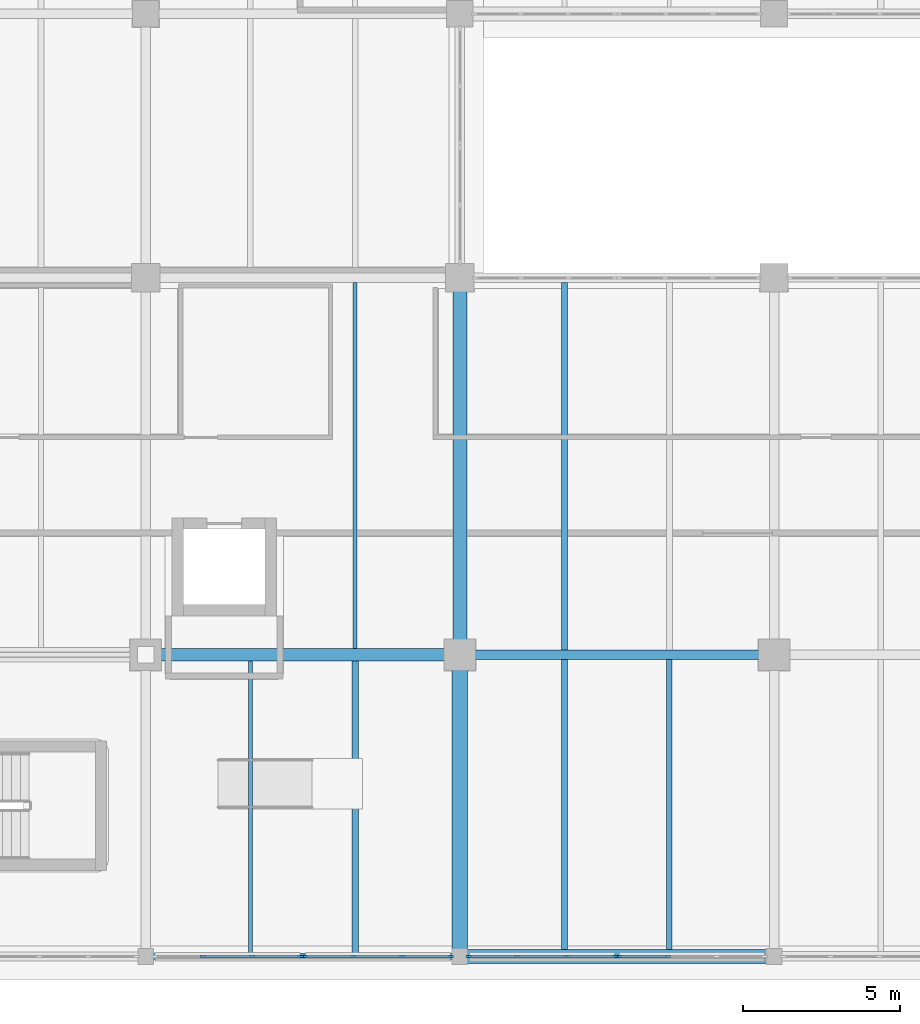
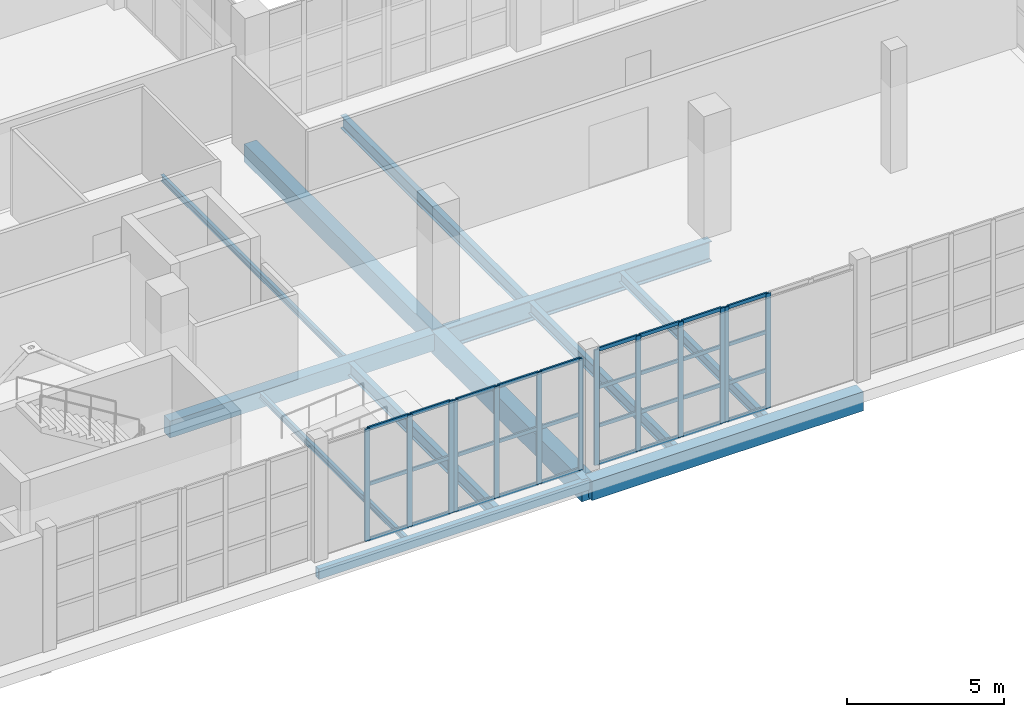
# One storey, part 41 of 121: 44 members, 12 beams, 4 elements without a shape of their own.
"""IFC4 building model written with IfcOpenShell, lengths in metres."""

from ifc_helpers import new_model, si_unit, direction, frame, origin, origin_2d, place, context, subcontext, project, spatial, rectangle, hollow_rectangle, i_section, extrude, material, layer, layer_set, material_profile, profile_set, type_object, element, aggregate, save


model = new_model("IFC4")

# Units and contexts
model_context = context("Model", 3, precision=1e-05, world=origin(), true_north=direction((0.0, 1.0)))
body_context = subcontext(model_context, "Body", "Model", "MODEL_VIEW")
ifc_project = project(units=[si_unit("LENGTHUNIT", "METRE"), si_unit("AREAUNIT", "SQUARE_METRE"), si_unit("VOLUMEUNIT", "CUBIC_METRE"), si_unit("PLANEANGLEUNIT", "RADIAN"), si_unit("MASSUNIT", "GRAM", prefix="KILO")], contexts=[model_context])

# Site, building, storey
site_placement = place(None, origin())
site = spatial("IfcSite", under=ifc_project, at=site_placement, CompositionType="ELEMENT")
building_placement = place(site_placement, origin())
building = spatial("IfcBuilding", under=site, at=building_placement, Name="Zereglee Splitstone Museum", CompositionType="ELEMENT")
storey_placement = place(building_placement, origin())
storey = spatial("IfcBuildingStorey", under=building, at=storey_placement, Name="L00", CompositionType="ELEMENT", Elevation=0.0)

# Beams
ifc_material_1 = material(Name="Concrete C40/50", Category="concrete")
ifc_material_profile_1 = material_profile(ifc_material_1, rectangle(XDim=0.39990234375, YDim=0.64990234375, at=origin_2d()), Name="RC 400x650")
ifc_profile_set_1 = profile_set([ifc_material_profile_1], Name="Concrete C40/50")
beam_type_1 = type_object("IfcBeamType", Name="BG-04", PredefinedType="BEAM", material=ifc_profile_set_1)
beam_1_placement = place(storey_placement, frame((195.199951171875, 9.60009765625, -0.7451171875), z_axis=(1.0, 0.0, 0.0), x_axis=(0.0, 1.0, 0.0)))
element("IfcBeam", 1, at=beam_1_placement, inside=storey, type_object=beam_type_1, Name="Primary Girder L00 B (195.2-205.2)", PredefinedType="BEAM", context=body_context, shape_type="SweptSolid", body=[
    extrude(rectangle(XDim=0.39990234375, YDim=0.64990234375, at=origin_2d()), origin(), (0.0, 0.0, 1.0), 10.0),
])
ifc_material_profile_2 = material_profile(ifc_material_1, rectangle(XDim=0.449951171875, YDim=0.699951171875, at=origin_2d()), Name="RC 450x700")
ifc_profile_set_2 = profile_set([ifc_material_profile_2], Name="Concrete C40/50")
beam_type_2 = type_object("IfcBeamType", Name="BG-03", PredefinedType="BEAM", material=ifc_profile_set_2)
beam_2_placement = place(storey_placement, frame((205.199951171875, 9.60009765625, -0.77001953125), z_axis=(0.0, 1.0, 0.0), x_axis=(-1.0, 0.0, 0.0)))
element("IfcBeam", 2, at=beam_2_placement, inside=storey, type_object=beam_type_2, Name="Primary Girder L00 23 (9.6-21.6)", PredefinedType="BEAM", context=body_context, shape_type="SweptSolid", body=[
    extrude(rectangle(XDim=0.449951171875, YDim=0.699951171875, at=origin_2d()), origin(), (0.0, 0.0, 1.0), 12.0),
])
ifc_material_profile_3 = material_profile(ifc_material_1, rectangle(XDim=0.5, YDim=0.85009765625, at=origin_2d()), Name="RC 500x850")
ifc_profile_set_3 = profile_set([ifc_material_profile_3], Name="Concrete C40/50")
beam_type_3 = type_object("IfcBeamType", Name="BG-02", PredefinedType="BEAM", material=ifc_profile_set_3)
beam_3_placement = place(storey_placement, frame((205.199951171875, 0.0, -0.844970703125), z_axis=(0.0, 1.0, 0.0), x_axis=(-1.0, 0.0, 0.0)))
element("IfcBeam", 3, at=beam_3_placement, inside=storey, type_object=beam_type_3, Name="Primary Girder L00 23 (0.0-9.6)", PredefinedType="BEAM", context=body_context, shape_type="SweptSolid", body=[
    extrude(rectangle(XDim=0.5, YDim=0.85009765625, at=origin_2d()), origin(), (0.0, 0.0, 1.0), 9.60009765625),
])

# Curtain wall, members
ifc_material_2 = material(Name="Triple-glazed low-E argon glass and bronze-anodised aluminium", Category="aluminium")
ifc_layer_1 = layer(ifc_material_2, 0.179931640625)
ifc_layer_set_1 = layer_set([ifc_layer_1], Name="Triple-glazed low-E argon glass and bronze-anodised aluminium")
curtain_wall_type_1 = type_object("IfcCurtainWallType", Name="CW-0470-438", PredefinedType="USERDEFINED", material=ifc_layer_set_1)
curtain_wall_1_placement = place(storey_placement, origin())
curtain_wall_1 = element("IfcCurtainWall", 4, at=curtain_wall_1_placement, inside=storey, type_object=curtain_wall_type_1, Name="Glazed Curtain Wall CW-0470-438 (L00)", ObjectType="GLAZED CURTAIN WALL", PredefinedType="USERDEFINED")
ifc_material_3 = material(Name="Thermally broken bronze-anodised aluminium", Category="aluminium")
ifc_material_profile_4 = material_profile(ifc_material_3, rectangle(XDim=0.06494140625, YDim=0.179931640625, at=origin_2d()), Name="CW MULL 65x180")
ifc_profile_set_4 = profile_set([ifc_material_profile_4], Name="Thermally broken bronze-anodised aluminium")
member_type_1 = type_object("IfcMemberType", Name="CWM-01", PredefinedType="MULLION", material=ifc_profile_set_4)
member_1_placement = place(storey_placement, frame((197.025390625, 0.0, 0.0), z_axis=(0.0, 0.0, 1.0), x_axis=(0.0, 1.0, 0.0)))
member_1 = element("IfcMember", 5, at=member_1_placement, type_object=member_type_1, Name="CW-0470-438 mullion 2", PredefinedType="MULLION", context=body_context, shape_type="SweptSolid", body=[
    extrude(rectangle(XDim=0.06494140625, YDim=0.179931640625, at=origin_2d()), origin(), (0.0, 0.0, 1.0), 4.3798828125),
])
member_2_placement = place(storey_placement, frame((198.5927734375, 0.0, 0.0), z_axis=(0.0, 0.0, 1.0), x_axis=(0.0, 1.0, 0.0)))
member_2 = element("IfcMember", 6, at=member_2_placement, type_object=member_type_1, Name="CW-0470-438 mullion 3", PredefinedType="MULLION", context=body_context, shape_type="SweptSolid", body=[
    extrude(rectangle(XDim=0.06494140625, YDim=0.179931640625, at=origin_2d()), origin(), (0.0, 0.0, 1.0), 4.3798828125),
])
member_3_placement = place(storey_placement, frame((200.12744140625, 0.0, 0.0), z_axis=(0.0, 0.0, 1.0), x_axis=(0.0, 1.0, 0.0)))
member_3 = element("IfcMember", 7, at=member_3_placement, type_object=member_type_1, Name="CW-0470-438 mullion 4", PredefinedType="MULLION", context=body_context, shape_type="SweptSolid", body=[
    extrude(rectangle(XDim=0.06494140625, YDim=0.179931640625, at=origin_2d()), origin(), (0.0, 0.0, 1.0), 4.3798828125),
])

ifc_layer_2 = layer(ifc_material_2, 0.179931640625)
ifc_layer_set_2 = layer_set([ifc_layer_2], Name="Triple-glazed low-E argon glass and bronze-anodised aluminium")
curtain_wall_type_2 = type_object("IfcCurtainWallType", Name="CW-0470-436", PredefinedType="USERDEFINED", material=ifc_layer_set_2)
curtain_wall_2_placement = place(storey_placement, origin())
curtain_wall_2 = element("IfcCurtainWall", 8, at=curtain_wall_2_placement, inside=storey, type_object=curtain_wall_type_2, Name="Glazed Curtain Wall CW-0470-436 (L00)", ObjectType="GLAZED CURTAIN WALL", PredefinedType="USERDEFINED")
member_4_placement = place(storey_placement, frame((200.2724609375, 0.0, 0.0), z_axis=(0.0, 0.0, 1.0), x_axis=(0.0, 1.0, 0.0)))
member_4 = element("IfcMember", 9, at=member_4_placement, type_object=member_type_1, Name="CW-0470-436 mullion 1", PredefinedType="MULLION", context=body_context, shape_type="SweptSolid", body=[
    extrude(rectangle(XDim=0.06494140625, YDim=0.179931640625, at=origin_2d()), origin(), (0.0, 0.0, 1.0), 4.360107421875),
])
member_5_placement = place(storey_placement, frame((201.807373046875, 0.0, 0.0), z_axis=(0.0, 0.0, 1.0), x_axis=(0.0, 1.0, 0.0)))
member_5 = element("IfcMember", 10, at=member_5_placement, type_object=member_type_1, Name="CW-0470-436 mullion 2", PredefinedType="MULLION", context=body_context, shape_type="SweptSolid", body=[
    extrude(rectangle(XDim=0.06494140625, YDim=0.179931640625, at=origin_2d()), origin(), (0.0, 0.0, 1.0), 4.360107421875),
])
member_6_placement = place(storey_placement, frame((203.374755859375, 0.0, 0.0), z_axis=(0.0, 0.0, 1.0), x_axis=(0.0, 1.0, 0.0)))
member_6 = element("IfcMember", 11, at=member_6_placement, type_object=member_type_1, Name="CW-0470-436 mullion 3", PredefinedType="MULLION", context=body_context, shape_type="SweptSolid", body=[
    extrude(rectangle(XDim=0.06494140625, YDim=0.179931640625, at=origin_2d()), origin(), (0.0, 0.0, 1.0), 4.360107421875),
])
member_7_placement = place(storey_placement, frame((204.909423828125, 0.0, 0.0), z_axis=(0.0, 0.0, 1.0), x_axis=(0.0, 1.0, 0.0)))
member_7 = element("IfcMember", 12, at=member_7_placement, type_object=member_type_1, Name="CW-0470-436 mullion 4", PredefinedType="MULLION", context=body_context, shape_type="SweptSolid", body=[
    extrude(rectangle(XDim=0.06494140625, YDim=0.179931640625, at=origin_2d()), origin(), (0.0, 0.0, 1.0), 4.360107421875),
])

ifc_layer_3 = layer(ifc_material_2, 0.179931640625)
ifc_layer_set_3 = layer_set([ifc_layer_3], Name="Triple-glazed low-E argon glass and bronze-anodised aluminium")
curtain_wall_type_3 = type_object("IfcCurtainWallType", Name="CW-0470-450", PredefinedType="USERDEFINED", material=ifc_layer_set_3)
curtain_wall_3_placement = place(storey_placement, origin())
curtain_wall_3 = element("IfcCurtainWall", 13, at=curtain_wall_3_placement, inside=storey, type_object=curtain_wall_type_3, Name="Glazed Curtain Wall CW-0470-450 (L00)", ObjectType="GLAZED CURTAIN WALL", PredefinedType="USERDEFINED")
member_8_placement = place(storey_placement, frame((205.490478515625, 0.0, 0.0), z_axis=(0.0, 0.0, 1.0), x_axis=(0.0, 1.0, 0.0)))
member_8 = element("IfcMember", 14, at=member_8_placement, type_object=member_type_1, Name="CW-0470-450 mullion 1", PredefinedType="MULLION", context=body_context, shape_type="SweptSolid", body=[
    extrude(rectangle(XDim=0.06494140625, YDim=0.179931640625, at=origin_2d()), origin(), (0.0, 0.0, 1.0), 4.5),
])
member_9_placement = place(storey_placement, frame((207.025390625, 0.0, 0.0), z_axis=(0.0, 0.0, 1.0), x_axis=(0.0, 1.0, 0.0)))
member_9 = element("IfcMember", 15, at=member_9_placement, type_object=member_type_1, Name="CW-0470-450 mullion 2", PredefinedType="MULLION", context=body_context, shape_type="SweptSolid", body=[
    extrude(rectangle(XDim=0.06494140625, YDim=0.179931640625, at=origin_2d()), origin(), (0.0, 0.0, 1.0), 4.5),
])
member_10_placement = place(storey_placement, frame((208.5927734375, 0.0, 0.0), z_axis=(0.0, 0.0, 1.0), x_axis=(0.0, 1.0, 0.0)))
member_10 = element("IfcMember", 16, at=member_10_placement, type_object=member_type_1, Name="CW-0470-450 mullion 3", PredefinedType="MULLION", context=body_context, shape_type="SweptSolid", body=[
    extrude(rectangle(XDim=0.06494140625, YDim=0.179931640625, at=origin_2d()), origin(), (0.0, 0.0, 1.0), 4.5),
])
member_11_placement = place(storey_placement, frame((210.12744140625, 0.0, 0.0), z_axis=(0.0, 0.0, 1.0), x_axis=(0.0, 1.0, 0.0)))
member_11 = element("IfcMember", 17, at=member_11_placement, type_object=member_type_1, Name="CW-0470-450 mullion 4", PredefinedType="MULLION", context=body_context, shape_type="SweptSolid", body=[
    extrude(rectangle(XDim=0.06494140625, YDim=0.179931640625, at=origin_2d()), origin(), (0.0, 0.0, 1.0), 4.5),
])

ifc_layer_4 = layer(ifc_material_2, 0.179931640625)
ifc_layer_set_4 = layer_set([ifc_layer_4], Name="Triple-glazed low-E argon glass and bronze-anodised aluminium")
curtain_wall_type_4 = type_object("IfcCurtainWallType", Name="CW-0470-448", PredefinedType="USERDEFINED", material=ifc_layer_set_4)
curtain_wall_4_placement = place(storey_placement, origin())
curtain_wall_4 = element("IfcCurtainWall", 18, at=curtain_wall_4_placement, inside=storey, type_object=curtain_wall_type_4, Name="Glazed Curtain Wall CW-0470-448 (L00)", ObjectType="GLAZED CURTAIN WALL", PredefinedType="USERDEFINED")
member_12_placement = place(storey_placement, frame((210.2724609375, 0.0, 0.0), z_axis=(0.0, 0.0, 1.0), x_axis=(0.0, 1.0, 0.0)))
member_12 = element("IfcMember", 19, at=member_12_placement, type_object=member_type_1, Name="CW-0470-448 mullion 1", PredefinedType="MULLION", context=body_context, shape_type="SweptSolid", body=[
    extrude(rectangle(XDim=0.06494140625, YDim=0.179931640625, at=origin_2d()), origin(), (0.0, 0.0, 1.0), 4.47998046875),
])
member_13_placement = place(storey_placement, frame((211.807373046875, 0.0, 0.0), z_axis=(0.0, 0.0, 1.0), x_axis=(0.0, 1.0, 0.0)))
member_13 = element("IfcMember", 20, at=member_13_placement, type_object=member_type_1, Name="CW-0470-448 mullion 2", PredefinedType="MULLION", context=body_context, shape_type="SweptSolid", body=[
    extrude(rectangle(XDim=0.06494140625, YDim=0.179931640625, at=origin_2d()), origin(), (0.0, 0.0, 1.0), 4.47998046875),
])

# Member
ifc_material_profile_5 = material_profile(ifc_material_3, rectangle(XDim=0.06494140625, YDim=0.139892578125, at=origin_2d()), Name="CW TRAN 65x140")
ifc_profile_set_5 = profile_set([ifc_material_profile_5], Name="Thermally broken bronze-anodised aluminium")
member_type_2 = type_object("IfcMemberType", Name="CWT-01", PredefinedType="USERDEFINED", material=ifc_profile_set_5)
member_14_placement = place(storey_placement, frame((197.057861328125, 0.0, 0.032470703125), z_axis=(1.0, 0.0, 0.0), x_axis=(0.0, 1.0, 0.0)))
member_14 = element("IfcMember", 21, at=member_14_placement, type_object=member_type_2, Name="CW-0470-438 transom 2.1", ObjectType="TRANSOM", PredefinedType="USERDEFINED", context=body_context, shape_type="SweptSolid", body=[
    extrude(rectangle(XDim=0.06494140625, YDim=0.139892578125, at=origin_2d()), origin(), (0.0, 0.0, 1.0), 1.502197265625),
])

member_15_placement = place(storey_placement, frame((197.057861328125, 0.0, 2.18994140625), z_axis=(1.0, 0.0, 0.0), x_axis=(0.0, 1.0, 0.0)))
member_15 = element("IfcMember", 22, at=member_15_placement, type_object=member_type_2, Name="CW-0470-438 transom 2.2", ObjectType="TRANSOM", PredefinedType="USERDEFINED", context=body_context, shape_type="SweptSolid", body=[
    extrude(rectangle(XDim=0.06494140625, YDim=0.139892578125, at=origin_2d()), origin(), (0.0, 0.0, 1.0), 1.502197265625),
])

member_16_placement = place(storey_placement, frame((197.057861328125, 0.0, 4.347412109375), z_axis=(1.0, 0.0, 0.0), x_axis=(0.0, 1.0, 0.0)))
member_16 = element("IfcMember", 23, at=member_16_placement, type_object=member_type_2, Name="CW-0470-438 transom 2.3", ObjectType="TRANSOM", PredefinedType="USERDEFINED", context=body_context, shape_type="SweptSolid", body=[
    extrude(rectangle(XDim=0.06494140625, YDim=0.139892578125, at=origin_2d()), origin(), (0.0, 0.0, 1.0), 1.502197265625),
])

member_17_placement = place(storey_placement, frame((198.625244140625, 0.0, 0.032470703125), z_axis=(1.0, 0.0, 0.0), x_axis=(0.0, 1.0, 0.0)))
member_17 = element("IfcMember", 24, at=member_17_placement, type_object=member_type_2, Name="CW-0470-438 transom 3.1", ObjectType="TRANSOM", PredefinedType="USERDEFINED", context=body_context, shape_type="SweptSolid", body=[
    extrude(rectangle(XDim=0.06494140625, YDim=0.139892578125, at=origin_2d()), origin(), (0.0, 0.0, 1.0), 1.4697265625),
])

member_18_placement = place(storey_placement, frame((198.625244140625, 0.0, 2.18994140625), z_axis=(1.0, 0.0, 0.0), x_axis=(0.0, 1.0, 0.0)))
member_18 = element("IfcMember", 25, at=member_18_placement, type_object=member_type_2, Name="CW-0470-438 transom 3.2", ObjectType="TRANSOM", PredefinedType="USERDEFINED", context=body_context, shape_type="SweptSolid", body=[
    extrude(rectangle(XDim=0.06494140625, YDim=0.139892578125, at=origin_2d()), origin(), (0.0, 0.0, 1.0), 1.4697265625),
])

member_19_placement = place(storey_placement, frame((198.625244140625, 0.0, 4.347412109375), z_axis=(1.0, 0.0, 0.0), x_axis=(0.0, 1.0, 0.0)))
member_19 = element("IfcMember", 26, at=member_19_placement, type_object=member_type_2, Name="CW-0470-438 transom 3.3", ObjectType="TRANSOM", PredefinedType="USERDEFINED", context=body_context, shape_type="SweptSolid", body=[
    extrude(rectangle(XDim=0.06494140625, YDim=0.139892578125, at=origin_2d()), origin(), (0.0, 0.0, 1.0), 1.4697265625),
])

aggregate(curtain_wall_1, [member_1, member_2, member_3, member_14, member_15, member_16, member_17, member_18, member_19])

member_20_placement = place(storey_placement, frame((200.304931640625, 0.0, 0.032470703125), z_axis=(1.0, 0.0, 0.0), x_axis=(0.0, 1.0, 0.0)))
member_20 = element("IfcMember", 27, at=member_20_placement, type_object=member_type_2, Name="CW-0470-436 transom 1.1", ObjectType="TRANSOM", PredefinedType="USERDEFINED", context=body_context, shape_type="SweptSolid", body=[
    extrude(rectangle(XDim=0.06494140625, YDim=0.139892578125, at=origin_2d()), origin(), (0.0, 0.0, 1.0), 1.469970703125),
])

member_21_placement = place(storey_placement, frame((200.304931640625, 0.0, 2.179931640625), z_axis=(1.0, 0.0, 0.0), x_axis=(0.0, 1.0, 0.0)))
member_21 = element("IfcMember", 28, at=member_21_placement, type_object=member_type_2, Name="CW-0470-436 transom 1.2", ObjectType="TRANSOM", PredefinedType="USERDEFINED", context=body_context, shape_type="SweptSolid", body=[
    extrude(rectangle(XDim=0.06494140625, YDim=0.139892578125, at=origin_2d()), origin(), (0.0, 0.0, 1.0), 1.469970703125),
])

member_22_placement = place(storey_placement, frame((200.304931640625, 0.0, 4.327392578125), z_axis=(1.0, 0.0, 0.0), x_axis=(0.0, 1.0, 0.0)))
member_22 = element("IfcMember", 29, at=member_22_placement, type_object=member_type_2, Name="CW-0470-436 transom 1.3", ObjectType="TRANSOM", PredefinedType="USERDEFINED", context=body_context, shape_type="SweptSolid", body=[
    extrude(rectangle(XDim=0.06494140625, YDim=0.139892578125, at=origin_2d()), origin(), (0.0, 0.0, 1.0), 1.469970703125),
])

member_23_placement = place(storey_placement, frame((201.83984375, 0.0, 0.032470703125), z_axis=(1.0, 0.0, 0.0), x_axis=(0.0, 1.0, 0.0)))
member_23 = element("IfcMember", 30, at=member_23_placement, type_object=member_type_2, Name="CW-0470-436 transom 2.1", ObjectType="TRANSOM", PredefinedType="USERDEFINED", context=body_context, shape_type="SweptSolid", body=[
    extrude(rectangle(XDim=0.06494140625, YDim=0.139892578125, at=origin_2d()), origin(), (0.0, 0.0, 1.0), 1.50244140625),
])

member_24_placement = place(storey_placement, frame((201.83984375, 0.0, 2.179931640625), z_axis=(1.0, 0.0, 0.0), x_axis=(0.0, 1.0, 0.0)))
member_24 = element("IfcMember", 31, at=member_24_placement, type_object=member_type_2, Name="CW-0470-436 transom 2.2", ObjectType="TRANSOM", PredefinedType="USERDEFINED", context=body_context, shape_type="SweptSolid", body=[
    extrude(rectangle(XDim=0.06494140625, YDim=0.139892578125, at=origin_2d()), origin(), (0.0, 0.0, 1.0), 1.50244140625),
])

member_25_placement = place(storey_placement, frame((201.83984375, 0.0, 4.327392578125), z_axis=(1.0, 0.0, 0.0), x_axis=(0.0, 1.0, 0.0)))
member_25 = element("IfcMember", 32, at=member_25_placement, type_object=member_type_2, Name="CW-0470-436 transom 2.3", ObjectType="TRANSOM", PredefinedType="USERDEFINED", context=body_context, shape_type="SweptSolid", body=[
    extrude(rectangle(XDim=0.06494140625, YDim=0.139892578125, at=origin_2d()), origin(), (0.0, 0.0, 1.0), 1.50244140625),
])

member_26_placement = place(storey_placement, frame((203.4072265625, 0.0, 0.032470703125), z_axis=(1.0, 0.0, 0.0), x_axis=(0.0, 1.0, 0.0)))
member_26 = element("IfcMember", 33, at=member_26_placement, type_object=member_type_2, Name="CW-0470-436 transom 3.1", ObjectType="TRANSOM", PredefinedType="USERDEFINED", context=body_context, shape_type="SweptSolid", body=[
    extrude(rectangle(XDim=0.06494140625, YDim=0.139892578125, at=origin_2d()), origin(), (0.0, 0.0, 1.0), 1.4697265625),
])

member_27_placement = place(storey_placement, frame((203.4072265625, 0.0, 2.179931640625), z_axis=(1.0, 0.0, 0.0), x_axis=(0.0, 1.0, 0.0)))
member_27 = element("IfcMember", 34, at=member_27_placement, type_object=member_type_2, Name="CW-0470-436 transom 3.2", ObjectType="TRANSOM", PredefinedType="USERDEFINED", context=body_context, shape_type="SweptSolid", body=[
    extrude(rectangle(XDim=0.06494140625, YDim=0.139892578125, at=origin_2d()), origin(), (0.0, 0.0, 1.0), 1.4697265625),
])

member_28_placement = place(storey_placement, frame((203.4072265625, 0.0, 4.327392578125), z_axis=(1.0, 0.0, 0.0), x_axis=(0.0, 1.0, 0.0)))
member_28 = element("IfcMember", 35, at=member_28_placement, type_object=member_type_2, Name="CW-0470-436 transom 3.3", ObjectType="TRANSOM", PredefinedType="USERDEFINED", context=body_context, shape_type="SweptSolid", body=[
    extrude(rectangle(XDim=0.06494140625, YDim=0.139892578125, at=origin_2d()), origin(), (0.0, 0.0, 1.0), 1.4697265625),
])

aggregate(curtain_wall_2, [member_4, member_5, member_6, member_7, member_20, member_21, member_22, member_23, member_24, member_25, member_26, member_27, member_28])

member_29_placement = place(storey_placement, frame((205.52294921875, 0.0, 0.032470703125), z_axis=(1.0, 0.0, 0.0), x_axis=(0.0, 1.0, 0.0)))
member_29 = element("IfcMember", 36, at=member_29_placement, type_object=member_type_2, Name="CW-0470-450 transom 1.1", ObjectType="TRANSOM", PredefinedType="USERDEFINED", context=body_context, shape_type="SweptSolid", body=[
    extrude(rectangle(XDim=0.06494140625, YDim=0.139892578125, at=origin_2d()), origin(), (0.0, 0.0, 1.0), 1.469970703125),
])

member_30_placement = place(storey_placement, frame((205.52294921875, 0.0, 1.5), z_axis=(1.0, 0.0, 0.0), x_axis=(0.0, 1.0, 0.0)))
member_30 = element("IfcMember", 37, at=member_30_placement, type_object=member_type_2, Name="CW-0470-450 transom 1.2", ObjectType="TRANSOM", PredefinedType="USERDEFINED", context=body_context, shape_type="SweptSolid", body=[
    extrude(rectangle(XDim=0.06494140625, YDim=0.139892578125, at=origin_2d()), origin(), (0.0, 0.0, 1.0), 1.469970703125),
])

member_31_placement = place(storey_placement, frame((205.52294921875, 0.0, 3.0), z_axis=(1.0, 0.0, 0.0), x_axis=(0.0, 1.0, 0.0)))
member_31 = element("IfcMember", 38, at=member_31_placement, type_object=member_type_2, Name="CW-0470-450 transom 1.3", ObjectType="TRANSOM", PredefinedType="USERDEFINED", context=body_context, shape_type="SweptSolid", body=[
    extrude(rectangle(XDim=0.06494140625, YDim=0.139892578125, at=origin_2d()), origin(), (0.0, 0.0, 1.0), 1.469970703125),
])

member_32_placement = place(storey_placement, frame((205.52294921875, 0.0, 4.467529296875), z_axis=(1.0, 0.0, 0.0), x_axis=(0.0, 1.0, 0.0)))
member_32 = element("IfcMember", 39, at=member_32_placement, type_object=member_type_2, Name="CW-0470-450 transom 1.4", ObjectType="TRANSOM", PredefinedType="USERDEFINED", context=body_context, shape_type="SweptSolid", body=[
    extrude(rectangle(XDim=0.06494140625, YDim=0.139892578125, at=origin_2d()), origin(), (0.0, 0.0, 1.0), 1.469970703125),
])

member_33_placement = place(storey_placement, frame((207.057861328125, 0.0, 0.032470703125), z_axis=(1.0, 0.0, 0.0), x_axis=(0.0, 1.0, 0.0)))
member_33 = element("IfcMember", 40, at=member_33_placement, type_object=member_type_2, Name="CW-0470-450 transom 2.1", ObjectType="TRANSOM", PredefinedType="USERDEFINED", context=body_context, shape_type="SweptSolid", body=[
    extrude(rectangle(XDim=0.06494140625, YDim=0.139892578125, at=origin_2d()), origin(), (0.0, 0.0, 1.0), 1.502197265625),
])

member_34_placement = place(storey_placement, frame((207.057861328125, 0.0, 1.5), z_axis=(1.0, 0.0, 0.0), x_axis=(0.0, 1.0, 0.0)))
member_34 = element("IfcMember", 41, at=member_34_placement, type_object=member_type_2, Name="CW-0470-450 transom 2.2", ObjectType="TRANSOM", PredefinedType="USERDEFINED", context=body_context, shape_type="SweptSolid", body=[
    extrude(rectangle(XDim=0.06494140625, YDim=0.139892578125, at=origin_2d()), origin(), (0.0, 0.0, 1.0), 1.502197265625),
])

member_35_placement = place(storey_placement, frame((207.057861328125, 0.0, 3.0), z_axis=(1.0, 0.0, 0.0), x_axis=(0.0, 1.0, 0.0)))
member_35 = element("IfcMember", 42, at=member_35_placement, type_object=member_type_2, Name="CW-0470-450 transom 2.3", ObjectType="TRANSOM", PredefinedType="USERDEFINED", context=body_context, shape_type="SweptSolid", body=[
    extrude(rectangle(XDim=0.06494140625, YDim=0.139892578125, at=origin_2d()), origin(), (0.0, 0.0, 1.0), 1.502197265625),
])

member_36_placement = place(storey_placement, frame((207.057861328125, 0.0, 4.467529296875), z_axis=(1.0, 0.0, 0.0), x_axis=(0.0, 1.0, 0.0)))
member_36 = element("IfcMember", 43, at=member_36_placement, type_object=member_type_2, Name="CW-0470-450 transom 2.4", ObjectType="TRANSOM", PredefinedType="USERDEFINED", context=body_context, shape_type="SweptSolid", body=[
    extrude(rectangle(XDim=0.06494140625, YDim=0.139892578125, at=origin_2d()), origin(), (0.0, 0.0, 1.0), 1.502197265625),
])

member_37_placement = place(storey_placement, frame((208.625244140625, 0.0, 0.032470703125), z_axis=(1.0, 0.0, 0.0), x_axis=(0.0, 1.0, 0.0)))
member_37 = element("IfcMember", 44, at=member_37_placement, type_object=member_type_2, Name="CW-0470-450 transom 3.1", ObjectType="TRANSOM", PredefinedType="USERDEFINED", context=body_context, shape_type="SweptSolid", body=[
    extrude(rectangle(XDim=0.06494140625, YDim=0.139892578125, at=origin_2d()), origin(), (0.0, 0.0, 1.0), 1.4697265625),
])

member_38_placement = place(storey_placement, frame((208.625244140625, 0.0, 1.5), z_axis=(1.0, 0.0, 0.0), x_axis=(0.0, 1.0, 0.0)))
member_38 = element("IfcMember", 45, at=member_38_placement, type_object=member_type_2, Name="CW-0470-450 transom 3.2", ObjectType="TRANSOM", PredefinedType="USERDEFINED", context=body_context, shape_type="SweptSolid", body=[
    extrude(rectangle(XDim=0.06494140625, YDim=0.139892578125, at=origin_2d()), origin(), (0.0, 0.0, 1.0), 1.4697265625),
])

member_39_placement = place(storey_placement, frame((208.625244140625, 0.0, 3.0), z_axis=(1.0, 0.0, 0.0), x_axis=(0.0, 1.0, 0.0)))
member_39 = element("IfcMember", 46, at=member_39_placement, type_object=member_type_2, Name="CW-0470-450 transom 3.3", ObjectType="TRANSOM", PredefinedType="USERDEFINED", context=body_context, shape_type="SweptSolid", body=[
    extrude(rectangle(XDim=0.06494140625, YDim=0.139892578125, at=origin_2d()), origin(), (0.0, 0.0, 1.0), 1.4697265625),
])

member_40_placement = place(storey_placement, frame((208.625244140625, 0.0, 4.467529296875), z_axis=(1.0, 0.0, 0.0), x_axis=(0.0, 1.0, 0.0)))
member_40 = element("IfcMember", 47, at=member_40_placement, type_object=member_type_2, Name="CW-0470-450 transom 3.4", ObjectType="TRANSOM", PredefinedType="USERDEFINED", context=body_context, shape_type="SweptSolid", body=[
    extrude(rectangle(XDim=0.06494140625, YDim=0.139892578125, at=origin_2d()), origin(), (0.0, 0.0, 1.0), 1.4697265625),
])

aggregate(curtain_wall_3, [member_8, member_9, member_10, member_11, member_29, member_30, member_31, member_32, member_33, member_34, member_35, member_36, member_37, member_38, member_39, member_40])

member_41_placement = place(storey_placement, frame((210.304931640625, 0.0, 0.032470703125), z_axis=(1.0, 0.0, 0.0), x_axis=(0.0, 1.0, 0.0)))
member_41 = element("IfcMember", 48, at=member_41_placement, type_object=member_type_2, Name="CW-0470-448 transom 1.1", ObjectType="TRANSOM", PredefinedType="USERDEFINED", context=body_context, shape_type="SweptSolid", body=[
    extrude(rectangle(XDim=0.06494140625, YDim=0.139892578125, at=origin_2d()), origin(), (0.0, 0.0, 1.0), 1.469970703125),
])

member_42_placement = place(storey_placement, frame((210.304931640625, 0.0, 1.493408203125), z_axis=(1.0, 0.0, 0.0), x_axis=(0.0, 1.0, 0.0)))
member_42 = element("IfcMember", 49, at=member_42_placement, type_object=member_type_2, Name="CW-0470-448 transom 1.2", ObjectType="TRANSOM", PredefinedType="USERDEFINED", context=body_context, shape_type="SweptSolid", body=[
    extrude(rectangle(XDim=0.06494140625, YDim=0.139892578125, at=origin_2d()), origin(), (0.0, 0.0, 1.0), 1.469970703125),
])

member_43_placement = place(storey_placement, frame((210.304931640625, 0.0, 2.98681640625), z_axis=(1.0, 0.0, 0.0), x_axis=(0.0, 1.0, 0.0)))
member_43 = element("IfcMember", 50, at=member_43_placement, type_object=member_type_2, Name="CW-0470-448 transom 1.3", ObjectType="TRANSOM", PredefinedType="USERDEFINED", context=body_context, shape_type="SweptSolid", body=[
    extrude(rectangle(XDim=0.06494140625, YDim=0.139892578125, at=origin_2d()), origin(), (0.0, 0.0, 1.0), 1.469970703125),
])

member_44_placement = place(storey_placement, frame((210.304931640625, 0.0, 4.447509765625), z_axis=(1.0, 0.0, 0.0), x_axis=(0.0, 1.0, 0.0)))
member_44 = element("IfcMember", 51, at=member_44_placement, type_object=member_type_2, Name="CW-0470-448 transom 1.4", ObjectType="TRANSOM", PredefinedType="USERDEFINED", context=body_context, shape_type="SweptSolid", body=[
    extrude(rectangle(XDim=0.06494140625, YDim=0.139892578125, at=origin_2d()), origin(), (0.0, 0.0, 1.0), 1.469970703125),
])

aggregate(curtain_wall_4, [member_12, member_13, member_41, member_42, member_43, member_44])

# Beams
ifc_material_4 = material(Name="Steel S355J2", Category="steel")
ifc_material_profile_6 = material_profile(ifc_material_4, i_section(OverallWidth=0.300048828125, OverallDepth=0.800048828125, WebThickness=0.017578125, FlangeThickness=0.032958984375, FilletRadius=0.030029296875, at=origin_2d()), Name="HE 800 B")
ifc_profile_set_6 = profile_set([ifc_material_profile_6], Name="Steel S355J2")
beam_type_4 = type_object("IfcBeamType", Name="BG-07", PredefinedType="BEAM", material=ifc_profile_set_6)
beam_4_placement = place(storey_placement, frame((205.199951171875, 9.60009765625, -0.820068359375), z_axis=(1.0, 0.0, 0.0), x_axis=(0.0, 1.0, 0.0)))
element("IfcBeam", 52, at=beam_4_placement, inside=storey, type_object=beam_type_4, Name="Primary Girder L00 B (205.2-215.2)", PredefinedType="BEAM", context=body_context, shape_type="SweptSolid", body=[
    extrude(i_section(OverallWidth=0.300048828125, OverallDepth=0.800048828125, WebThickness=0.017578125, FlangeThickness=0.032958984375, FilletRadius=0.030029296875, at=origin_2d()), origin(), (0.0, 0.0, 1.0), 10.0),
])
ifc_material_profile_7 = material_profile(ifc_material_4, i_section(OverallWidth=0.1201171875, OverallDepth=0.239990234375, WebThickness=0.006103515625, FlangeThickness=0.009765625, FilletRadius=0.014892578125, at=origin_2d()), Name="IPE 240")
ifc_profile_set_7 = profile_set([ifc_material_profile_7], Name="Steel S355J2")
beam_type_5 = type_object("IfcBeamType", Name="BJ-07", PredefinedType="JOIST", material=ifc_profile_set_7)
beam_5_placement = place(storey_placement, frame((198.533203125, 0.10009765625, -0.5400390625), z_axis=(0.0, 1.0, 0.0), x_axis=(-1.0, 0.0, 0.0)))
element("IfcBeam", 53, at=beam_5_placement, inside=storey, type_object=beam_type_5, Name="Secondary Floor Joist L00-0265", PredefinedType="JOIST", context=body_context, shape_type="SweptSolid", body=[
    extrude(i_section(OverallWidth=0.1201171875, OverallDepth=0.239990234375, WebThickness=0.006103515625, FlangeThickness=0.009765625, FilletRadius=0.014892578125, at=origin_2d()), origin(), (0.0, 0.0, 1.0), 9.2998046875),
])
beam_6_placement = place(storey_placement, frame((201.86669921875, 9.800048828125, -0.5400390625), z_axis=(0.0, 1.0, 0.0), x_axis=(-1.0, 0.0, 0.0)))
element("IfcBeam", 54, at=beam_6_placement, inside=storey, type_object=beam_type_5, Name="Secondary Floor Joist L00-0300", PredefinedType="JOIST", context=body_context, shape_type="SweptSolid", body=[
    extrude(i_section(OverallWidth=0.1201171875, OverallDepth=0.239990234375, WebThickness=0.006103515625, FlangeThickness=0.009765625, FilletRadius=0.014892578125, at=origin_2d()), origin(), (0.0, 0.0, 1.0), 11.64990234375),
])
ifc_material_profile_8 = material_profile(ifc_material_4, i_section(OverallWidth=0.179931640625, OverallDepth=0.39990234375, WebThickness=0.008544921875, FlangeThickness=0.013427734375, FilletRadius=0.02099609375, at=origin_2d()), Name="IPE 400")
ifc_profile_set_8 = profile_set([ifc_material_profile_8], Name="Steel S355J2")
beam_type_6 = type_object("IfcBeamType", Name="BJ-03", PredefinedType="JOIST", material=ifc_profile_set_8)
beam_7_placement = place(storey_placement, frame((211.86669921875, 0.22509765625, -0.6201171875), z_axis=(0.0, 1.0, 0.0), x_axis=(-1.0, 0.0, 0.0)))
element("IfcBeam", 55, at=beam_7_placement, inside=storey, type_object=beam_type_6, Name="Secondary Floor Joist L00-0268", PredefinedType="JOIST", context=body_context, shape_type="SweptSolid", body=[
    extrude(i_section(OverallWidth=0.179931640625, OverallDepth=0.39990234375, WebThickness=0.008544921875, FlangeThickness=0.013427734375, FilletRadius=0.02099609375, at=origin_2d()), origin(), (0.0, 0.0, 1.0), 9.224853515625),
])
ifc_material_profile_9 = material_profile(ifc_material_4, i_section(OverallWidth=0.18994140625, OverallDepth=0.449951171875, WebThickness=0.009521484375, FlangeThickness=0.0146484375, FilletRadius=0.02099609375, at=origin_2d()), Name="IPE 450")
ifc_profile_set_9 = profile_set([ifc_material_profile_9], Name="Steel S355J2")
beam_type_7 = type_object("IfcBeamType", Name="BJ-02", PredefinedType="JOIST", material=ifc_profile_set_9)
beam_8_placement = place(storey_placement, frame((208.533203125, 0.22509765625, -0.64501953125), z_axis=(0.0, 1.0, 0.0), x_axis=(-1.0, 0.0, 0.0)))
element("IfcBeam", 56, at=beam_8_placement, inside=storey, type_object=beam_type_7, Name="Secondary Floor Joist L00-0267", PredefinedType="JOIST", context=body_context, shape_type="SweptSolid", body=[
    extrude(i_section(OverallWidth=0.18994140625, OverallDepth=0.449951171875, WebThickness=0.009521484375, FlangeThickness=0.0146484375, FilletRadius=0.02099609375, at=origin_2d()), origin(), (0.0, 0.0, 1.0), 9.224853515625),
])
ifc_material_profile_10 = material_profile(ifc_material_4, i_section(OverallWidth=0.199951171875, OverallDepth=0.5, WebThickness=0.01025390625, FlangeThickness=0.01611328125, FilletRadius=0.02099609375, at=origin_2d()), Name="IPE 500")
ifc_profile_set_10 = profile_set([ifc_material_profile_10], Name="Steel S355J2")
beam_type_8 = type_object("IfcBeamType", Name="BJ-01", PredefinedType="JOIST", material=ifc_profile_set_10)
beam_9_placement = place(storey_placement, frame((201.86669921875, 0.10009765625, -0.669921875), z_axis=(0.0, 1.0, 0.0), x_axis=(-1.0, 0.0, 0.0)))
element("IfcBeam", 57, at=beam_9_placement, inside=storey, type_object=beam_type_8, Name="Secondary Floor Joist L00-0266", PredefinedType="JOIST", context=body_context, shape_type="SweptSolid", body=[
    extrude(i_section(OverallWidth=0.199951171875, OverallDepth=0.5, WebThickness=0.01025390625, FlangeThickness=0.01611328125, FilletRadius=0.02099609375, at=origin_2d()), origin(), (0.0, 0.0, 1.0), 9.2998046875),
])
beam_10_placement = place(storey_placement, frame((208.533203125, 9.75, -0.669921875), z_axis=(0.0, 1.0, 0.0), x_axis=(-1.0, 0.0, 0.0)))
element("IfcBeam", 58, at=beam_10_placement, inside=storey, type_object=beam_type_8, Name="Secondary Floor Joist L00-0301", PredefinedType="JOIST", context=body_context, shape_type="SweptSolid", body=[
    extrude(i_section(OverallWidth=0.199951171875, OverallDepth=0.5, WebThickness=0.01025390625, FlangeThickness=0.01611328125, FilletRadius=0.02099609375, at=origin_2d()), origin(), (0.0, 0.0, 1.0), 11.699951171875),
])
ifc_material_profile_11 = material_profile(ifc_material_1, rectangle(XDim=0.449951171875, YDim=0.75, at=origin_2d()), Name="RC 450x750")
ifc_profile_set_11 = profile_set([ifc_material_profile_11], Name="Concrete C40/50")
beam_type_9 = type_object("IfcBeamType", Name="SP-01", PredefinedType="SPANDREL", material=ifc_profile_set_11)
beam_11_placement = place(storey_placement, frame((205.199951171875, 0.0, -0.794921875), z_axis=(1.0, 0.0, 0.0), x_axis=(0.0, 1.0, 0.0)))
element("IfcBeam", 59, at=beam_11_placement, inside=storey, type_object=beam_type_9, Name="Primary Girder L00 A (205.2-215.2)", PredefinedType="SPANDREL", context=body_context, shape_type="SweptSolid", body=[
    extrude(rectangle(XDim=0.449951171875, YDim=0.75, at=origin_2d()), origin(), (0.0, 0.0, 1.0), 10.0),
])
ifc_material_5 = material(Name="Steel S355J2H", Category="steel")
ifc_material_profile_12 = material_profile(ifc_material_5, hollow_rectangle(XDim=0.199951171875, YDim=0.39990234375, WallThickness=0.01611328125, at=origin_2d()), Name="RHS 400x200x16")
ifc_profile_set_12 = profile_set([ifc_material_profile_12], Name="Steel S355J2H")
beam_type_10 = type_object("IfcBeamType", Name="SP-04", PredefinedType="SPANDREL", material=ifc_profile_set_12)
beam_12_placement = place(storey_placement, frame((195.199951171875, 0.0, -0.6201171875), z_axis=(1.0, 0.0, 0.0), x_axis=(0.0, 1.0, 0.0)))
element("IfcBeam", 60, at=beam_12_placement, inside=storey, type_object=beam_type_10, Name="Primary Girder L00 A (195.2-205.2)", PredefinedType="SPANDREL", context=body_context, shape_type="SweptSolid", body=[
    extrude(hollow_rectangle(XDim=0.199951171875, YDim=0.39990234375, WallThickness=0.01611328125, at=origin_2d()), origin(), (0.0, 0.0, 1.0), 10.0),
])

save(model, "model.ifc")
